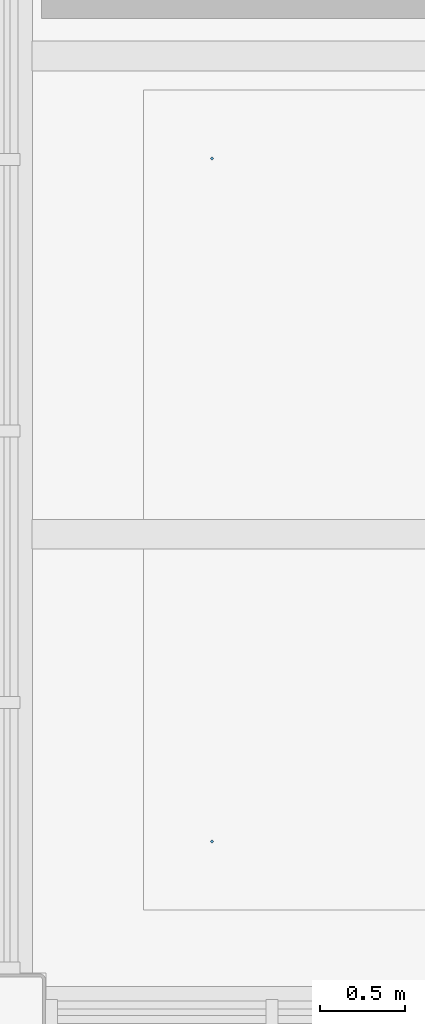
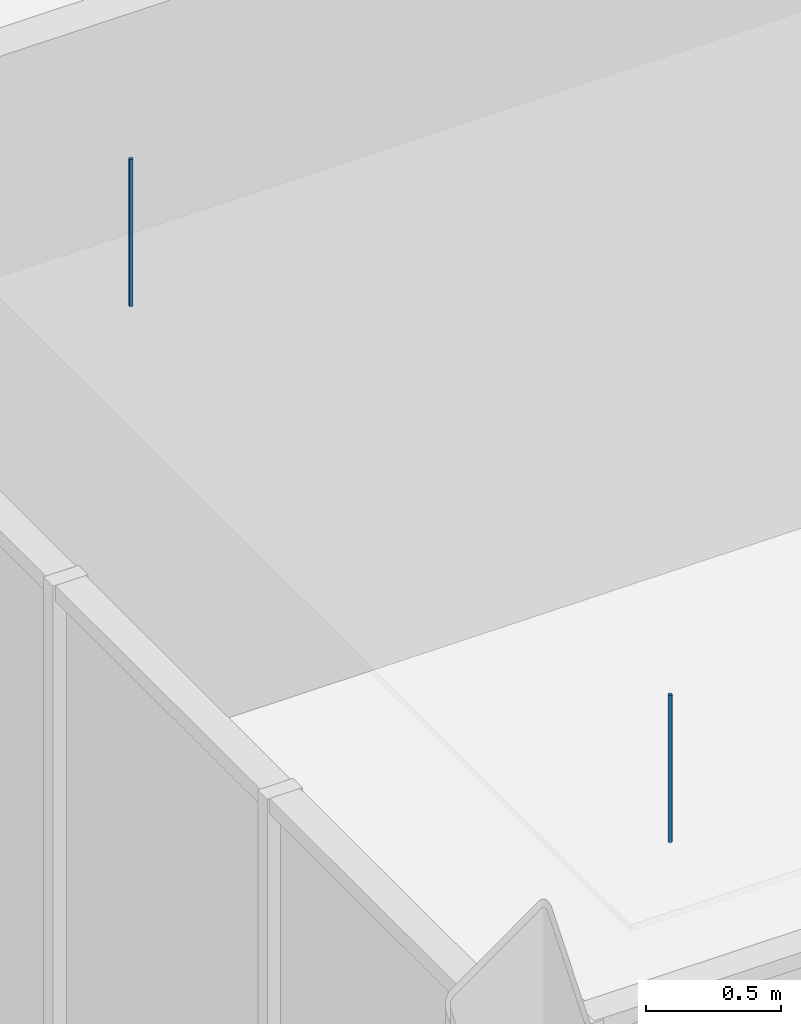
# One storey, part 16 of 19: 2 discrete accessories.
"""IFC4 building model written with IfcOpenShell, lengths in metres."""

from ifc_helpers import new_model, si_unit, direction, frame, origin, origin_2d, place, context, subcontext, project, spatial, circle, extrude, material, type_object, element, save


model = new_model("IFC4")

# Units and contexts
model_context = context("Model", 3, precision=1e-05, world=origin(), true_north=direction((0.0, 1.0)))
body_context = subcontext(model_context, "Body", "Model", "MODEL_VIEW")
ifc_project = project(units=[si_unit("LENGTHUNIT", "METRE"), si_unit("AREAUNIT", "SQUARE_METRE"), si_unit("VOLUMEUNIT", "CUBIC_METRE"), si_unit("PLANEANGLEUNIT", "RADIAN"), si_unit("MASSUNIT", "GRAM", prefix="KILO")], contexts=[model_context])

# Site, building, storey
site_placement = place(None, origin())
site = spatial("IfcSite", under=ifc_project, at=site_placement, CompositionType="ELEMENT")
building_placement = place(site_placement, origin())
building = spatial("IfcBuilding", under=site, at=building_placement, Name="Yukiwa Park Conservatory and Herbarium", CompositionType="ELEMENT")
storey_placement = place(building_placement, frame((0.0, 0.0, 46.800048828125)))
storey = spatial("IfcBuildingStorey", under=building, at=storey_placement, Name="L12", CompositionType="ELEMENT", Elevation=46.800048828125)

# Discrete accessories
ifc_material = material(Name="Steel Q235B", Category="steel")
discrete_accessory_type = type_object("IfcDiscreteAccessoryType", Name="ACC-CEILING-HANGER", PredefinedType="BRACKET", material=ifc_material)
for number, where, z_axis, x_axis, name in (
    (1, (126.0, 87.39990234375, 2.675048828125), (0.0, 0.0, 1.0), (1.0, 0.0, 0.0), "Ceiling suspension hanger rod 25"),
    (2, (126.0, 91.39990234375, 2.675048828125), (0.0, 0.0, 1.0), (1.0, 0.0, 0.0), "Ceiling suspension hanger rod 28"),
):
    element("IfcDiscreteAccessory", number, at=place(storey_placement, frame(where, z_axis=z_axis, x_axis=x_axis)), inside=storey, type_object=discrete_accessory_type, Name=name, PredefinedType="BRACKET", context=body_context, shape_type="SweptSolid", body=[
        extrude(circle(Radius=0.008056640625, at=origin_2d()), origin(), (0.0, 0.0, 1.0), 0.66796875),
    ])

save(model, "model.ifc")
